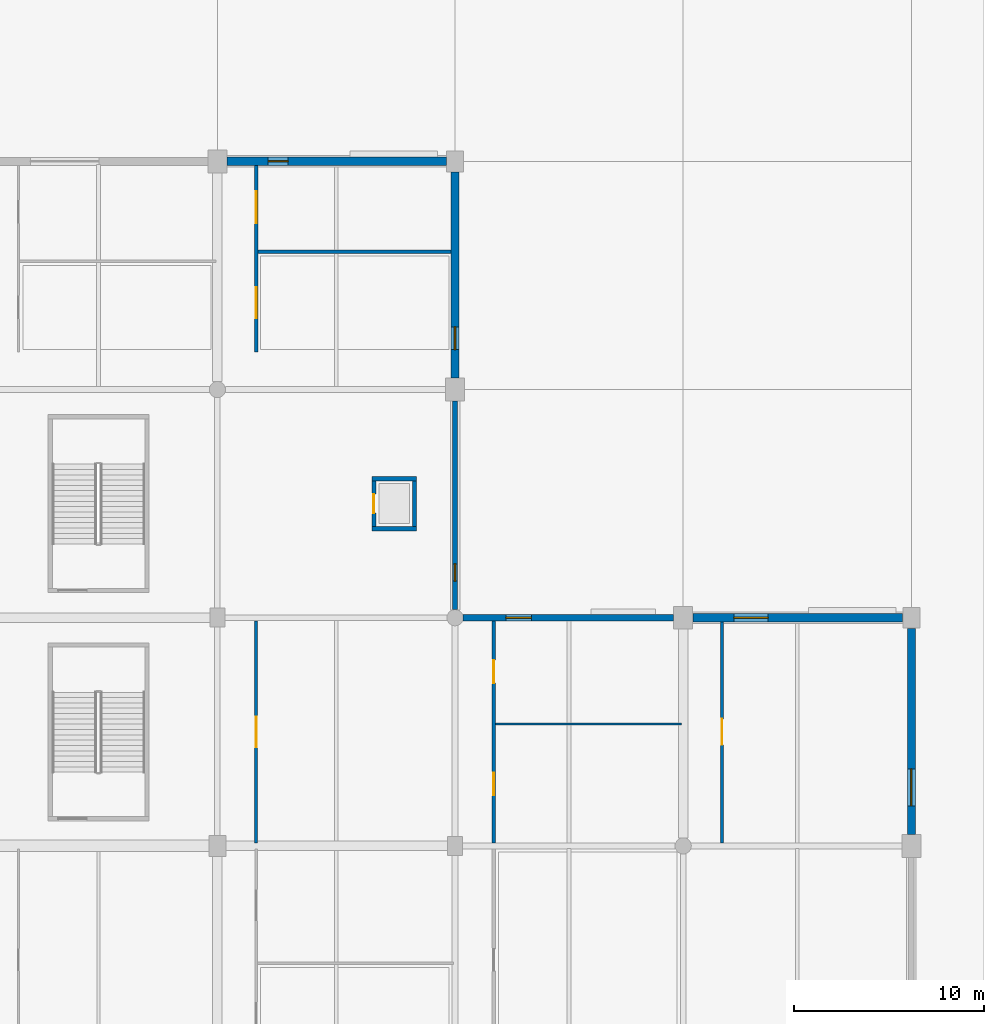
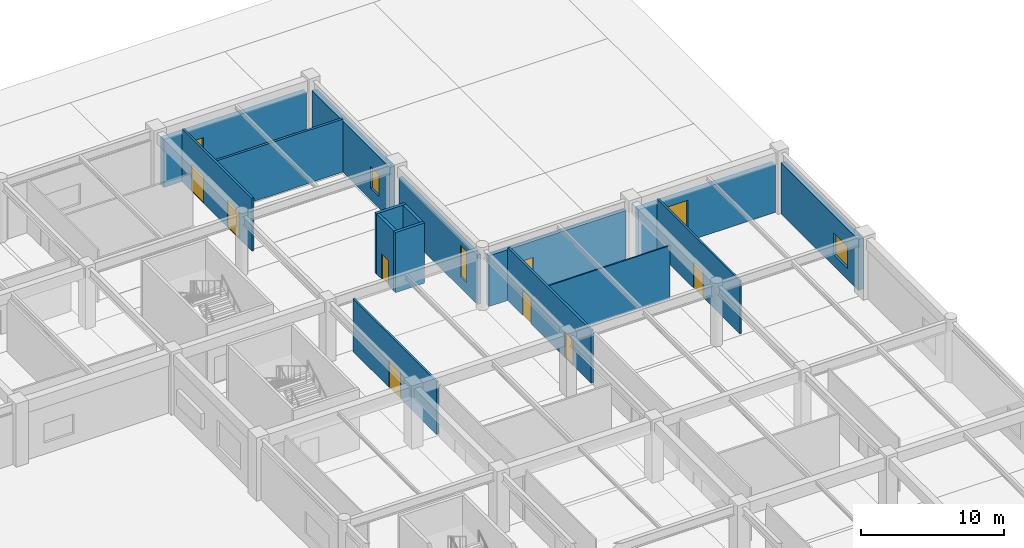
# One storey, part 34 of 69: 16 walls, 7 doors, 6 windows, 13 openings.
"""IFC4 building model written with IfcOpenShell, lengths in metres."""

import ifcopenshell
import ifcopenshell.guid

model = None  # the IFC model being written
_history = None  # IfcOwnerHistory: only IFC2X3 demands one
_inside = {}  # id of a spatial element -> (the spatial element, [elements in it])
_under = {}  # id of a project, library or spatial element -> (it, [spatial elements below it])
_declared = {}  # id of a project -> (the project, [libraries it declares])
_typed = {}  # id of a type object -> (the type object, [elements of that type])
_made_of = {}  # id of a material, layer set ... -> (it, [elements and type objects made of it])


def new_model(schema):
    """Start an empty IFC model of exactly this schema.

    Asked for "IFC4X3", IfcOpenShell would pick the latest addendum, in which some entities
    have other attributes; the version numbers below select the first issue.
    IFC2X3 requires an IfcOwnerHistory on every rooted entity: one is made here for all.
    """
    global model, _history
    if schema == "IFC4X3":
        model = ifcopenshell.file(schema_version=(4, 3, 0, 0))
    else:
        model = ifcopenshell.file(schema=schema)
    _inside.clear()
    _under.clear()
    _declared.clear()
    _typed.clear()
    _made_of.clear()
    _history = None
    if model.schema == "IFC2X3":
        org = make("IfcOrganization", Name="unknown")
        user = make(
            "IfcPersonAndOrganization",
            ThePerson=make("IfcPerson", FamilyName="unknown"),
            TheOrganization=org,
        )
        app = make(
            "IfcApplication",
            ApplicationDeveloper=org,
            Version="unknown",
            ApplicationFullName="unknown",
            ApplicationIdentifier="unknown",
        )
        _history = make(
            "IfcOwnerHistory",
            OwningUser=user,
            OwningApplication=app,
            ChangeAction="ADDED",
            CreationDate=0,
        )
    return model


def make(cls, **values):
    """One entity of the class cls with the attributes given. An attribute that is None is left unset."""
    return model.create_entity(
        cls, **{name: value for name, value in values.items() if value is not None}
    )


def rooted(cls, **values):
    """An entity with a GlobalId (a new one), such as an element, a storey or a relation."""
    return make(cls, GlobalId=ifcopenshell.guid.new(), OwnerHistory=_history, **values)


def si_unit(unit_type, name, prefix=None):
    """IfcSIUnit, for example si_unit("LENGTHUNIT", "METRE", prefix="MILLI")."""
    return make("IfcSIUnit", UnitType=unit_type, Prefix=prefix, Name=name)


def assignment(units):
    """IfcUnitAssignment: the units of a project."""
    return None if units is None else make("IfcUnitAssignment", Units=units)


def point(xyz):
    """IfcCartesianPoint."""
    return None if xyz is None else make("IfcCartesianPoint", Coordinates=xyz)


def direction(xyz):
    """IfcDirection."""
    return None if xyz is None else make("IfcDirection", DirectionRatios=xyz)


def frame(location, z_axis=None, x_axis=None):
    """IfcAxis2Placement3D, a coordinate frame: its origin and axes. An axis left out is left unset."""
    return make(
        "IfcAxis2Placement3D",
        Location=point(location),
        Axis=direction(z_axis),
        RefDirection=direction(x_axis),
    )


def frame_2d(location, x_axis=None):
    """IfcAxis2Placement2D, a coordinate frame in the plane: its origin and x axis."""
    return make(
        "IfcAxis2Placement2D", Location=point(location), RefDirection=direction(x_axis)
    )


def origin():
    """The frame at (0, 0, 0) with its axes left unset."""
    return frame((0.0, 0.0, 0.0))


def place(relative_to, where):
    """IfcLocalPlacement: puts the frame where relative to a parent placement (None: the world)."""
    return make(
        "IfcLocalPlacement", PlacementRelTo=relative_to, RelativePlacement=where
    )


def context(
    kind, dimensions, precision=None, world=None, true_north=None, identifier=None
):
    """IfcGeometricRepresentationContext, for example the 3D "Model" context."""
    return make(
        "IfcGeometricRepresentationContext",
        ContextIdentifier=identifier,
        ContextType=kind,
        CoordinateSpaceDimension=dimensions,
        Precision=precision,
        WorldCoordinateSystem=world,
        TrueNorth=true_north,
    )


def subcontext(parent, identifier, kind, view, scale=None):
    """IfcGeometricRepresentationSubContext, for example "Body" below "Model"."""
    return make(
        "IfcGeometricRepresentationSubContext",
        ContextIdentifier=identifier,
        ContextType=kind,
        ParentContext=parent,
        TargetScale=scale,
        TargetView=view,
    )


def project(units=None, contexts=None):
    """IfcProject with its units and contexts."""
    return rooted(
        "IfcProject",
        Name="project",
        RepresentationContexts=contexts,
        UnitsInContext=assignment(units),
    )


def spatial(cls, under=None, at=None, **own):
    """A site, building, storey or space (cls), placed at a placement, below another one or the project."""
    s = rooted(cls, ObjectPlacement=at, **own)
    if under is not None:
        _under.setdefault(under.id(), (under, []))[1].append(s)
    return s


def profile(cls, at=None, kind="AREA", **sizes):
    """A parametric profile (cls). Its sizes go by their IFC names, for example OverallWidth=200.0."""
    return make(cls, ProfileType=kind, Position=at, **sizes)


def rectangle(**sizes):
    """IfcRectangleProfileDef."""
    return profile("IfcRectangleProfileDef", **sizes)


def extrude(swept, where, along, depth):
    """IfcExtrudedAreaSolid: the profile swept, set in the frame where, extruded along a direction by depth."""
    return make(
        "IfcExtrudedAreaSolid",
        SweptArea=swept,
        Position=where,
        ExtrudedDirection=direction(along),
        Depth=depth,
    )


def shape(context_of_items, identifier, shape_type, items):
    """IfcShapeRepresentation: the items that make up one representation, for example the "Body"."""
    return make(
        "IfcShapeRepresentation",
        ContextOfItems=context_of_items,
        RepresentationIdentifier=identifier,
        RepresentationType=shape_type,
        Items=items,
    )


def material(Name=None, Category=None):
    """IfcMaterial."""
    return make("IfcMaterial", Name=Name, Category=Category)


def layer(
    of_material, thickness, ventilated=None, Name=None, Category=None, Priority=None
):
    """IfcMaterialLayer: one layer of a wall or slab, of a material (None: an air gap)."""
    return make(
        "IfcMaterialLayer",
        Material=of_material,
        LayerThickness=thickness,
        IsVentilated=ventilated,
        Name=Name,
        Category=Category,
        Priority=Priority,
    )


def layer_set(layers, Name=None):
    """IfcMaterialLayerSet."""
    return make("IfcMaterialLayerSet", MaterialLayers=layers, LayerSetName=Name)


def made_of(thing, what):
    """Note that an element or type object is made of a material, layer set ...; save() writes the relation."""
    if what is not None:
        _made_of.setdefault(what.id(), (what, []))[1].append(thing)
    return thing


def type_object(cls, material=None, **own):
    """A type object (cls), such as IfcWallType, which elements share."""
    return made_of(rooted(cls, **own), material)


def element(
    cls,
    number,
    at=None,
    inside=None,
    cuts=None,
    type_object=None,
    material=None,
    context=None,
    identifier="Body",
    shape_type=None,
    held_by="IfcProductDefinitionShape",
    body=None,
    shapes=None,
    **own,
):
    """One element of the class cls, such as IfcWall. Its Tag is "e" and its number.

    at: its placement. inside: the storey or other place that contains it. cuts: it is an
    opening in that element (IfcRelVoidsElement). A single representation is given by context,
    identifier, shape_type and body (its items); several are given by shapes. held_by: the class
    of the entity that holds the representations. save() writes the other relations.
    """
    e = rooted(cls, Tag="e%d" % number, ObjectPlacement=at, **own)
    if body is not None:
        shapes = [shape(context, identifier, shape_type, body)]
    if shapes is not None:
        e.Representation = make(held_by, Representations=shapes)
    if inside is not None:
        _inside.setdefault(inside.id(), (inside, []))[1].append(e)
    if cuts is not None:
        rooted(
            "IfcRelVoidsElement", RelatingBuildingElement=cuts, RelatedOpeningElement=e
        )
    if type_object is not None:
        _typed.setdefault(type_object.id(), (type_object, []))[1].append(e)
    return made_of(e, material)


def fill(opening, filler):
    """IfcRelFillsElement: the door or window that sits in an opening."""
    return rooted(
        "IfcRelFillsElement",
        RelatingOpeningElement=opening,
        RelatedBuildingElement=filler,
    )


def aggregate(whole, parts):
    """IfcRelAggregates: a whole, such as a stair, and the parts it consists of."""
    return rooted("IfcRelAggregates", RelatingObject=whole, RelatedObjects=parts)


def save(model, path):
    """Write the relations noted so far, then the file.

    IfcRelAggregates (storeys below a building ...), IfcRelContainedInSpatialStructure (elements
    in a storey), IfcRelDefinesByType, IfcRelAssociatesMaterial and IfcRelDeclares: one each for
    every whole, place, type object, material and project.
    """
    for whole, parts in _under.values():
        aggregate(whole, parts)
    for where, things in _inside.values():
        rooted(
            "IfcRelContainedInSpatialStructure",
            RelatedElements=things,
            RelatingStructure=where,
        )
    for kind, things in _typed.values():
        rooted("IfcRelDefinesByType", RelatedObjects=things, RelatingType=kind)
    for what, things in _made_of.values():
        rooted("IfcRelAssociatesMaterial", RelatedObjects=things, RelatingMaterial=what)
    for by, libraries in _declared.values():
        rooted("IfcRelDeclares", RelatingContext=by, RelatedDefinitions=libraries)
    model.write(path)


model = new_model("IFC4")

# Units and contexts
model_context = context("Model", 3, precision=1e-05, world=origin(), true_north=direction((0.0, 1.0)))
body_context = subcontext(model_context, "Body", "Model", "MODEL_VIEW")
ifc_project = project(units=[si_unit("LENGTHUNIT", "METRE"), si_unit("AREAUNIT", "SQUARE_METRE"), si_unit("VOLUMEUNIT", "CUBIC_METRE"), si_unit("PLANEANGLEUNIT", "RADIAN"), si_unit("MASSUNIT", "GRAM", prefix="KILO")], contexts=[model_context])

# Site, building, storey
site_placement = place(None, origin())
site = spatial("IfcSite", under=ifc_project, at=site_placement, CompositionType="ELEMENT")
building_placement = place(site_placement, origin())
building = spatial("IfcBuilding", under=site, at=building_placement, Name="Kazenohara Klinker Stadium", CompositionType="ELEMENT")
storey_placement = place(building_placement, origin())
storey = spatial("IfcBuildingStorey", under=building, at=storey_placement, Name="L00", CompositionType="ELEMENT", Elevation=0.0)

# Walls
ifc_material_1 = material(Name="Concrete C40/50", Category="concrete")
ifc_layer_1 = layer(ifc_material_1, 0.22998046875)
ifc_layer_set_1 = layer_set([ifc_layer_1], Name="Concrete C40/50")
wall_type_1 = type_object("IfcWallType", Name="WAL-CORE-230", PredefinedType="SHEAR", material=ifc_layer_set_1)
for number, where, z_axis, x_axis, name in (
    (1, (195.6201171875, 136.68505859375, 0.0), (0.0, 0.0, 1.0), (1.0, 0.0, 0.0), "Elevator shaft wall LP05 L00 South"),
    (2, (195.6201171875, 139.31494140625, 0.0), (0.0, 0.0, 1.0), (1.0, 0.0, 0.0), "Elevator shaft wall LP05 L00 North"),
):
    element("IfcWall", number, at=place(storey_placement, frame(where, z_axis=z_axis, x_axis=x_axis)), inside=storey, type_object=wall_type_1, Name=name, PredefinedType="SHEAR", context=body_context, shape_type="SweptSolid", body=[
        extrude(rectangle(XDim=2.35986328125, YDim=0.22998046875, at=frame_2d((1.179931640625, 0.0))), origin(), (0.0, 0.0, 1.0), 5.139892578125),
    ])

# Wall, opening, door
wall_1_placement = place(storey_placement, frame((195.735107421875, 136.800048828125, 0.0), z_axis=(0.0, 0.0, 1.0), x_axis=(0.0, 1.0, 0.0)))
wall_1 = element("IfcWall", 3, at=wall_1_placement, inside=storey, type_object=wall_type_1, Name="Elevator shaft wall LP05 L00 West", PredefinedType="SHEAR", context=body_context, shape_type="SweptSolid", body=[
    extrude(rectangle(XDim=2.39990234375, YDim=0.22998046875, at=frame_2d((1.199951171875, 0.0))), origin(), (0.0, 0.0, 1.0), 5.139892578125),
])
opening_1_placement = place(wall_1_placement, frame((0.699951171875, 0.0, 0.0)))
opening_1 = element("IfcOpeningElement", 4, at=opening_1_placement, cuts=wall_1, Name="Opening LD02", PredefinedType="OPENING", context=body_context, shape_type="SweptSolid", body=[
    extrude(rectangle(XDim=1.0, YDim=2.14990234375, at=frame_2d((0.5, 1.074951171875))), frame((0.0, 0.125, 0.0), z_axis=(0.0, -1.0, 0.0), x_axis=(1.0, 0.0, 0.0)), (0.0, 0.0, 1.0), 0.25),
])
ifc_material_2 = material(Name="Stainless steel sliding landing door", Category="steel")
door_type_1 = type_object("IfcDoorType", Name="DR-LD02-1000x2150", OperationType="NOTDEFINED", PredefinedType="DOOR", material=ifc_material_2)
door_1_placement = place(opening_1_placement, origin())
door_1 = element("IfcDoor", 5, at=door_1_placement, inside=storey, type_object=door_type_1, Name="Elevator sliding landing door LP05-L00", OperationType="DOUBLE_DOOR_SLIDING", OverallHeight=2.14990234375, OverallWidth=1.0, PredefinedType="DOOR", context=body_context, shape_type="SweptSolid", body=[
    extrude(rectangle(XDim=1.0, YDim=2.14990234375, at=frame_2d((0.5, 1.074951171875))), frame((0.0, 0.02490234375, 0.0), z_axis=(0.0, -1.0, 0.0), x_axis=(1.0, 0.0, 0.0)), (0.0, 0.0, 1.0), 0.050048828125),
])
fill(opening_1, door_1)

# Wall
wall_2_placement = place(storey_placement, frame((197.864990234375, 136.800048828125, 0.0), z_axis=(0.0, 0.0, 1.0), x_axis=(0.0, 1.0, 0.0)))
element("IfcWall", 6, at=wall_2_placement, inside=storey, type_object=wall_type_1, Name="Elevator shaft wall LP05 L00 East", PredefinedType="SHEAR", context=body_context, shape_type="SweptSolid", body=[
    extrude(rectangle(XDim=2.39990234375, YDim=0.22998046875, at=frame_2d((1.199951171875, 0.0))), origin(), (0.0, 0.0, 1.0), 5.139892578125),
])

# Wall, opening, window
ifc_material_3 = material(Name="Clinker brick masonry", Category="masonry")
ifc_layer_2 = layer(ifc_material_3, 0.280029296875)
ifc_layer_set_2 = layer_set([ifc_layer_2], Name="Clinker brick masonry")
wall_type_2 = type_object("IfcWallType", Name="WAL-EXT-CB280", PredefinedType="SOLIDWALL", material=ifc_layer_set_2)
wall_3_placement = place(storey_placement, frame((200.0, 132.428955078125, 0.0), z_axis=(0.0, 0.0, 1.0), x_axis=(0.0, 1.0, 0.0)))
wall_3 = element("IfcWall", 7, at=wall_3_placement, inside=storey, type_object=wall_type_2, Name="Clinker brick cavity wall EW06 L00 Y16-11", PredefinedType="SOLIDWALL", context=body_context, shape_type="SweptSolid", body=[
    extrude(rectangle(XDim=10.967041015625, YDim=0.280029296875, at=frame_2d((5.4833984375, 0.0))), origin(), (0.0, 0.0, 1.0), 4.239990234375),
])
opening_2_placement = place(wall_3_placement, frame((1.5, 0.0, 0.949951171875)))
opening_2 = element("IfcOpeningElement", 8, at=opening_2_placement, cuts=wall_3, Name="Opening W03", PredefinedType="OPENING", context=body_context, shape_type="SweptSolid", body=[
    extrude(rectangle(XDim=0.89990234375, YDim=2.699951171875, at=frame_2d((0.449951171875, 1.35009765625))), frame((0.0, 0.14990234375, 0.0), z_axis=(0.0, -1.0, 0.0), x_axis=(1.0, 0.0, 0.0)), (0.0, 0.0, 1.0), 0.300048828125),
])
ifc_material_4 = material(Name="Dark bronze aluminium frame and triple glazing", Category="aluminium")
window_type_1 = type_object("IfcWindowType", Name="WIN-AS-03", PartitioningType="SINGLE_PANEL", PredefinedType="WINDOW", material=ifc_material_4)
window_1_placement = place(opening_2_placement, origin())
window_1 = element("IfcWindow", 9, at=window_1_placement, inside=storey, type_object=window_type_1, Name="Horizontal-mullion ladder window W03 L00 Y16-11", OverallHeight=2.699951171875, OverallWidth=0.89990234375, PartitioningType="SINGLE_PANEL", PredefinedType="WINDOW", context=body_context, shape_type="SweptSolid", body=[
    extrude(rectangle(XDim=0.89990234375, YDim=2.699951171875, at=frame_2d((0.449951171875, 1.35009765625))), frame((0.0, 0.030029296875, 0.0), z_axis=(0.0, -1.0, 0.0), x_axis=(1.0, 0.0, 0.0)), (0.0, 0.0, 1.0), 0.06005859375),
])
fill(opening_2, window_1)

ifc_layer_3 = layer(ifc_material_3, 0.340087890625)
ifc_layer_set_3 = layer_set([ifc_layer_3], Name="Clinker brick masonry")
wall_type_3 = type_object("IfcWallType", Name="WAL-EXT-CB340", PredefinedType="SOLIDWALL", material=ifc_layer_set_3)
wall_4_placement = place(storey_placement, frame((200.428955078125, 132.0, 0.0), z_axis=(0.0, 0.0, 1.0), x_axis=(1.0, 0.0, 0.0)))
wall_4 = element("IfcWall", 10, at=wall_4_placement, inside=storey, type_object=wall_type_3, Name="Clinker brick cavity wall EW04 L00 X16-11", PredefinedType="SOLIDWALL", context=body_context, shape_type="SweptSolid", body=[
    extrude(rectangle(XDim=11.067138671875, YDim=0.340087890625, at=frame_2d((5.53369140625, 0.0))), origin(), (0.0, 0.0, 1.0), 4.340087890625),
])
opening_3_placement = place(wall_4_placement, frame((2.240966796875, 0.0, 0.949951171875)))
opening_3 = element("IfcOpeningElement", 11, at=opening_3_placement, cuts=wall_4, Name="Opening W07", PredefinedType="OPENING", context=body_context, shape_type="SweptSolid", body=[
    extrude(rectangle(XDim=1.35009765625, YDim=2.0, at=frame_2d((0.675048828125, 1.0))), frame((0.0, 0.18017578125, 0.0), z_axis=(0.0, -1.0, 0.0), x_axis=(1.0, 0.0, 0.0)), (0.0, 0.0, 1.0), 0.360107421875),
])
window_type_2 = type_object("IfcWindowType", Name="WIN-AS-07", PartitioningType="SINGLE_PANEL", PredefinedType="WINDOW", material=ifc_material_4)
window_2_placement = place(opening_3_placement, origin())
window_2 = element("IfcWindow", 12, at=window_2_placement, inside=storey, type_object=window_type_2, Name="Horizontal-mullion ladder window W07 L00 X16-11", OverallHeight=2.0, OverallWidth=1.35009765625, PartitioningType="SINGLE_PANEL", PredefinedType="WINDOW", context=body_context, shape_type="SweptSolid", body=[
    extrude(rectangle(XDim=1.35009765625, YDim=2.0, at=frame_2d((0.675048828125, 1.0))), frame((0.0, 0.030029296875, 0.0), z_axis=(0.0, -1.0, 0.0), x_axis=(1.0, 0.0, 0.0)), (0.0, 0.0, 1.0), 0.06005859375),
])
fill(opening_3, window_2)

ifc_layer_4 = layer(ifc_material_3, 0.409912109375)
ifc_layer_set_4 = layer_set([ifc_layer_4], Name="Clinker brick masonry")
wall_type_4 = type_object("IfcWallType", Name="WAL-EXT-CB410", PredefinedType="SOLIDWALL", material=ifc_layer_set_4)
wall_5_placement = place(storey_placement, frame((200.0, 144.60400390625, 0.0), z_axis=(0.0, 0.0, 1.0), x_axis=(0.0, 1.0, 0.0)))
wall_5 = element("IfcWall", 13, at=wall_5_placement, inside=storey, type_object=wall_type_4, Name="Clinker brick cavity wall EW02 L00 Y16-12", PredefinedType="SOLIDWALL", context=body_context, shape_type="SweptSolid", body=[
    extrude(rectangle(XDim=10.842041015625, YDim=0.409912109375, at=frame_2d((5.4208984375, 0.0))), origin(), (0.0, 0.0, 1.0), 4.340087890625),
])
opening_4_placement = place(wall_5_placement, frame((1.5, 0.0, 0.949951171875)))
opening_4 = element("IfcOpeningElement", 14, at=opening_4_placement, cuts=wall_5, Name="Opening W05", PredefinedType="OPENING", context=body_context, shape_type="SweptSolid", body=[
    extrude(rectangle(XDim=1.199951171875, YDim=1.89990234375, at=frame_2d((0.60009765625, 0.949951171875))), frame((0.0, 0.21484375, 0.0), z_axis=(0.0, -1.0, 0.0), x_axis=(1.0, 0.0, 0.0)), (0.0, 0.0, 1.0), 0.429931640625),
])
window_type_3 = type_object("IfcWindowType", Name="WIN-AS-05", PartitioningType="SINGLE_PANEL", PredefinedType="WINDOW", material=ifc_material_4)
window_3_placement = place(opening_4_placement, origin())
window_3 = element("IfcWindow", 15, at=window_3_placement, inside=storey, type_object=window_type_3, Name="Horizontal-mullion ladder window W05 L00 Y16-12", OverallHeight=1.89990234375, OverallWidth=1.199951171875, PartitioningType="SINGLE_PANEL", PredefinedType="WINDOW", context=body_context, shape_type="SweptSolid", body=[
    extrude(rectangle(XDim=1.199951171875, YDim=1.89990234375, at=frame_2d((0.60009765625, 0.949951171875))), frame((0.0, 0.030029296875, 0.0), z_axis=(0.0, -1.0, 0.0), x_axis=(1.0, 0.0, 0.0)), (0.0, 0.0, 1.0), 0.06005859375),
])
fill(opening_4, window_3)

wall_6_placement = place(storey_placement, frame((224.0, 120.60400390625, 0.0), z_axis=(0.0, 0.0, 1.0), x_axis=(0.0, 1.0, 0.0)))
wall_6 = element("IfcWall", 16, at=wall_6_placement, inside=storey, type_object=wall_type_4, Name="Clinker brick cavity wall EW02 L00 Y18-10", PredefinedType="SOLIDWALL", context=body_context, shape_type="SweptSolid", body=[
    extrude(rectangle(XDim=10.842041015625, YDim=0.409912109375, at=frame_2d((5.4208984375, 0.0))), origin(), (0.0, 0.0, 1.0), 4.340087890625),
])
opening_5_placement = place(wall_6_placement, frame((1.5, 0.0, 0.949951171875)))
opening_5 = element("IfcOpeningElement", 17, at=opening_5_placement, cuts=wall_6, Name="Opening W16", PredefinedType="OPENING", context=body_context, shape_type="SweptSolid", body=[
    extrude(rectangle(XDim=1.949951171875, YDim=1.89990234375, at=frame_2d((0.97509765625, 0.949951171875))), frame((0.0, 0.21484375, 0.0), z_axis=(0.0, -1.0, 0.0), x_axis=(1.0, 0.0, 0.0)), (0.0, 0.0, 1.0), 0.429931640625),
])
window_type_4 = type_object("IfcWindowType", Name="WIN-AS-16", PartitioningType="SINGLE_PANEL", PredefinedType="WINDOW", material=ifc_material_4)
window_4_placement = place(opening_5_placement, origin())
window_4 = element("IfcWindow", 18, at=window_4_placement, inside=storey, type_object=window_type_4, Name="Horizontal-mullion ladder window W16 L00 Y18-10", OverallHeight=1.89990234375, OverallWidth=1.949951171875, PartitioningType="SINGLE_PANEL", PredefinedType="WINDOW", context=body_context, shape_type="SweptSolid", body=[
    extrude(rectangle(XDim=1.949951171875, YDim=1.89990234375, at=frame_2d((0.97509765625, 0.949951171875))), frame((0.0, 0.030029296875, 0.0), z_axis=(0.0, -1.0, 0.0), x_axis=(1.0, 0.0, 0.0)), (0.0, 0.0, 1.0), 0.06005859375),
])
fill(opening_5, window_4)

ifc_layer_5 = layer(ifc_material_3, 0.449951171875)
ifc_layer_set_5 = layer_set([ifc_layer_5], Name="Clinker brick masonry")
wall_type_5 = type_object("IfcWallType", Name="WAL-EXT-CB450", PredefinedType="SOLIDWALL", material=ifc_layer_set_5)
wall_7_placement = place(storey_placement, frame((188.00390625, 156.0, 0.0), z_axis=(0.0, 0.0, 1.0), x_axis=(1.0, 0.0, 0.0)))
wall_7 = element("IfcWall", 19, at=wall_7_placement, inside=storey, type_object=wall_type_5, Name="Clinker brick cavity wall EW01 L00 X15-13", PredefinedType="SOLIDWALL", context=body_context, shape_type="SweptSolid", body=[
    extrude(rectangle(XDim=11.5419921875, YDim=0.449951171875, at=frame_2d((5.77099609375, 0.0))), origin(), (0.0, 0.0, 1.0), 4.090087890625),
])
opening_6_placement = place(wall_7_placement, frame((2.166015625, 0.0, 0.949951171875)))
opening_6 = element("IfcOpeningElement", 20, at=opening_6_placement, cuts=wall_7, Name="Opening W04", PredefinedType="OPENING", context=body_context, shape_type="SweptSolid", body=[
    extrude(rectangle(XDim=1.050048828125, YDim=2.199951171875, at=frame_2d((0.52490234375, 1.10009765625))), frame((0.0, 0.23486328125, 0.0), z_axis=(0.0, -1.0, 0.0), x_axis=(1.0, 0.0, 0.0)), (0.0, 0.0, 1.0), 0.469970703125),
])
window_type_5 = type_object("IfcWindowType", Name="WIN-AS-04", PartitioningType="SINGLE_PANEL", PredefinedType="WINDOW", material=ifc_material_4)
window_5_placement = place(opening_6_placement, origin())
window_5 = element("IfcWindow", 21, at=window_5_placement, inside=storey, type_object=window_type_5, Name="Horizontal-mullion ladder window W04 L00 X15-13", OverallHeight=2.199951171875, OverallWidth=1.050048828125, PartitioningType="SINGLE_PANEL", PredefinedType="WINDOW", context=body_context, shape_type="SweptSolid", body=[
    extrude(rectangle(XDim=1.050048828125, YDim=2.199951171875, at=frame_2d((0.52490234375, 1.10009765625))), frame((0.0, 0.030029296875, 0.0), z_axis=(0.0, -1.0, 0.0), x_axis=(1.0, 0.0, 0.0)), (0.0, 0.0, 1.0), 0.06005859375),
])
fill(opening_6, window_5)

wall_8_placement = place(storey_placement, frame((212.50390625, 132.0, 0.0), z_axis=(0.0, 0.0, 1.0), x_axis=(1.0, 0.0, 0.0)))
wall_8 = element("IfcWall", 22, at=wall_8_placement, inside=storey, type_object=wall_type_5, Name="Clinker brick cavity wall EW01 L00 X17-11", PredefinedType="SOLIDWALL", context=body_context, shape_type="SweptSolid", body=[
    extrude(rectangle(XDim=11.0419921875, YDim=0.449951171875, at=frame_2d((5.52099609375, 0.0))), origin(), (0.0, 0.0, 1.0), 4.090087890625),
])
opening_7_placement = place(wall_8_placement, frame((2.166015625, 0.0, 0.949951171875)))
opening_7 = element("IfcOpeningElement", 23, at=opening_7_placement, cuts=wall_8, Name="Opening W15", PredefinedType="OPENING", context=body_context, shape_type="SweptSolid", body=[
    extrude(rectangle(XDim=1.800048828125, YDim=2.550048828125, at=frame_2d((0.89990234375, 1.27490234375))), frame((0.0, 0.23486328125, 0.0), z_axis=(0.0, -1.0, 0.0), x_axis=(1.0, 0.0, 0.0)), (0.0, 0.0, 1.0), 0.469970703125),
])
window_type_6 = type_object("IfcWindowType", Name="WIN-AS-15", PartitioningType="SINGLE_PANEL", PredefinedType="WINDOW", material=ifc_material_4)
window_6_placement = place(opening_7_placement, origin())
window_6 = element("IfcWindow", 24, at=window_6_placement, inside=storey, type_object=window_type_6, Name="Horizontal-mullion ladder window W15 L00 X17-11", OverallHeight=2.550048828125, OverallWidth=1.800048828125, PartitioningType="SINGLE_PANEL", PredefinedType="WINDOW", context=body_context, shape_type="SweptSolid", body=[
    extrude(rectangle(XDim=1.800048828125, YDim=2.550048828125, at=frame_2d((0.89990234375, 1.27490234375))), frame((0.0, 0.030029296875, 0.0), z_axis=(0.0, -1.0, 0.0), x_axis=(1.0, 0.0, 0.0)), (0.0, 0.0, 1.0), 0.06005859375),
])
fill(opening_7, window_6)

# Wall
ifc_material_5 = material(Name="Fire-rated gypsum board on acoustic studs", Category="gypsum")
ifc_layer_6 = layer(ifc_material_5, 0.110107421875)
ifc_layer_set_6 = layer_set([ifc_layer_6], Name="Fire-rated gypsum board on acoustic studs")
wall_type_6 = type_object("IfcWallType", Name="WAL-INT-P110", PredefinedType="PARTITIONING", material=ifc_layer_set_6)
wall_9_placement = place(storey_placement, frame((202.139892578125, 126.40869140625, 0.0), z_axis=(0.0, 0.0, 1.0), x_axis=(1.0, 0.0, 0.0)))
element("IfcWall", 25, at=wall_9_placement, inside=storey, type_object=wall_type_6, Name="Interior partition wall PT01 SPC-L00-16-10-1-2", PredefinedType="PARTITIONING", context=body_context, shape_type="SweptSolid", body=[
    extrude(rectangle(XDim=9.780029296875, YDim=0.110107421875, at=frame_2d((4.89013671875, 0.0))), origin(), (0.0, 0.0, 1.0), 4.52001953125),
])

# Wall, opening, door
ifc_layer_7 = layer(ifc_material_5, 0.139892578125)
ifc_layer_set_7 = layer_set([ifc_layer_7], Name="Fire-rated gypsum board on acoustic studs")
wall_type_7 = type_object("IfcWallType", Name="WAL-INT-P140", PredefinedType="PARTITIONING", material=ifc_layer_set_7)
wall_10_placement = place(storey_placement, frame((214.0400390625, 120.159912109375, 0.0), z_axis=(0.0, 0.0, 1.0), x_axis=(0.0, 1.0, 0.0)))
wall_10 = element("IfcWall", 26, at=wall_10_placement, inside=storey, type_object=wall_type_7, Name="Interior partition wall PT03 SPC-L00-17-10-1-1", PredefinedType="PARTITIONING", context=body_context, shape_type="SweptSolid", body=[
    extrude(rectangle(XDim=11.613037109375, YDim=0.139892578125, at=frame_2d((5.806640625, 0.0))), origin(), (0.0, 0.0, 1.0), 4.52001953125),
])
opening_8_placement = place(wall_10_placement, frame((6.52001953125, 0.0, 0.0), z_axis=(0.0, 0.0, 1.0), x_axis=(-1.0, 0.0, 0.0)))
opening_8 = element("IfcOpeningElement", 27, at=opening_8_placement, cuts=wall_10, Name="Opening ID17", PredefinedType="OPENING", context=body_context, shape_type="SweptSolid", body=[
    extrude(rectangle(XDim=1.360107421875, YDim=2.25, at=frame_2d((0.68017578125, 1.125))), frame((0.0, 0.080078125, 0.0), z_axis=(0.0, -1.0, 0.0), x_axis=(1.0, 0.0, 0.0)), (0.0, 0.0, 1.0), 0.159912109375),
])
ifc_material_6 = material(Name="Solid-core Hokkaido oak fire door", Category="wood")
door_type_2 = type_object("IfcDoorType", Name="DR-INT-17", OperationType="NOTDEFINED", PredefinedType="DOOR", material=ifc_material_6)
door_2_placement = place(opening_8_placement, origin())
door_2 = element("IfcDoor", 28, at=door_2_placement, inside=storey, type_object=door_type_2, Name="Interior door ID17 Civic Stadium Heritage Museum Exhibition Gallery L00-1710A", OperationType="SINGLE_SWING_RIGHT", OverallHeight=2.25, OverallWidth=1.360107421875, PredefinedType="DOOR", context=body_context, shape_type="SweptSolid", body=[
    extrude(rectangle(XDim=1.360107421875, YDim=2.25, at=frame_2d((0.68017578125, 1.125))), frame((0.0, 0.02490234375, 0.0), z_axis=(0.0, -1.0, 0.0), x_axis=(1.0, 0.0, 0.0)), (0.0, 0.0, 1.0), 0.050048828125),
])
fill(opening_8, door_2)

ifc_layer_8 = layer(ifc_material_5, 0.14990234375)
ifc_layer_set_8 = layer_set([ifc_layer_8], Name="Fire-rated gypsum board on acoustic studs")
wall_type_8 = type_object("IfcWallType", Name="WAL-INT-P150", PredefinedType="PARTITIONING", material=ifc_layer_set_8)
wall_11_placement = place(storey_placement, frame((189.5400390625, 120.159912109375, 0.0), z_axis=(0.0, 0.0, 1.0), x_axis=(0.0, 1.0, 0.0)))
wall_11 = element("IfcWall", 29, at=wall_11_placement, inside=storey, type_object=wall_type_8, Name="Interior partition wall PT04 SPC-L00-15-10-1-1", PredefinedType="PARTITIONING", context=body_context, shape_type="SweptSolid", body=[
    extrude(rectangle(XDim=11.68017578125, YDim=0.14990234375, at=frame_2d((5.840087890625, 0.0))), origin(), (0.0, 0.0, 1.0), 4.52001953125),
])
opening_9_placement = place(wall_11_placement, frame((6.64013671875, 0.0, 0.0), z_axis=(0.0, 0.0, 1.0), x_axis=(-1.0, 0.0, 0.0)))
opening_9 = element("IfcOpeningElement", 30, at=opening_9_placement, cuts=wall_11, Name="Opening ID23", PredefinedType="OPENING", context=body_context, shape_type="SweptSolid", body=[
    extrude(rectangle(XDim=1.60009765625, YDim=2.300048828125, at=frame_2d((0.800048828125, 1.14990234375))), frame((0.0, 0.0849609375, 0.0), z_axis=(0.0, -1.0, 0.0), x_axis=(1.0, 0.0, 0.0)), (0.0, 0.0, 1.0), 0.169921875),
])
ifc_material_7 = material(Name="Painted steel plant fire door", Category="steel")
door_type_3 = type_object("IfcDoorType", Name="DR-INT-23", OperationType="NOTDEFINED", PredefinedType="DOOR", material=ifc_material_7)
door_3_placement = place(opening_9_placement, origin())
door_3 = element("IfcDoor", 31, at=door_3_placement, inside=storey, type_object=door_type_3, Name="Interior door ID23 Supporter Merchandising Retail Shop L00-1510A", OperationType="SINGLE_SWING_RIGHT", OverallHeight=2.300048828125, OverallWidth=1.60009765625, PredefinedType="DOOR", context=body_context, shape_type="SweptSolid", body=[
    extrude(rectangle(XDim=1.60009765625, YDim=2.300048828125, at=frame_2d((0.800048828125, 1.14990234375))), frame((0.0, 0.02490234375, 0.0), z_axis=(0.0, -1.0, 0.0), x_axis=(1.0, 0.0, 0.0)), (0.0, 0.0, 1.0), 0.050048828125),
])
fill(opening_9, door_3)

# Wall, openings, doors
ifc_layer_9 = layer(ifc_material_5, 0.169921875)
ifc_layer_set_9 = layer_set([ifc_layer_9], Name="Fire-rated gypsum board on acoustic studs")
wall_type_9 = type_object("IfcWallType", Name="WAL-INT-P170", PredefinedType="PARTITIONING", material=ifc_layer_set_9)
wall_12_placement = place(storey_placement, frame((189.5400390625, 145.969970703125, 0.0), z_axis=(0.0, 0.0, 1.0), x_axis=(0.0, 1.0, 0.0)))
wall_12 = element("IfcWall", 32, at=wall_12_placement, inside=storey, type_object=wall_type_9, Name="Interior partition wall PT05 SPC-L00-15-12-1-1", PredefinedType="PARTITIONING", context=body_context, shape_type="SweptSolid", body=[
    extrude(rectangle(XDim=9.802978515625, YDim=0.169921875, at=frame_2d((4.9013671875, 0.0))), origin(), (0.0, 0.0, 1.0), 4.52001953125),
])
opening_10_placement = place(wall_12_placement, frame((3.425048828125, 0.0, 0.0), z_axis=(0.0, 0.0, 1.0), x_axis=(-1.0, 0.0, 0.0)))
opening_10 = element("IfcOpeningElement", 33, at=opening_10_placement, cuts=wall_12, Name="Opening ID24", PredefinedType="OPENING", context=body_context, shape_type="SweptSolid", body=[
    extrude(rectangle(XDim=1.64990234375, YDim=2.280029296875, at=frame_2d((0.824951171875, 1.14013671875))), frame((0.0, 0.094970703125, 0.0), z_axis=(0.0, -1.0, 0.0), x_axis=(1.0, 0.0, 0.0)), (0.0, 0.0, 1.0), 0.18994140625),
])
opening_11_placement = place(wall_12_placement, frame((8.465087890625, 0.0, 0.0), z_axis=(0.0, 0.0, 1.0), x_axis=(-1.0, 0.0, 0.0)))
opening_11 = element("IfcOpeningElement", 34, at=opening_11_placement, cuts=wall_12, Name="Opening ID25", PredefinedType="OPENING", context=body_context, shape_type="SweptSolid", body=[
    extrude(rectangle(XDim=1.699951171875, YDim=2.320068359375, at=frame_2d((0.85009765625, 1.16015625))), frame((0.0, 0.094970703125, 0.0), z_axis=(0.0, -1.0, 0.0), x_axis=(1.0, 0.0, 0.0)), (0.0, 0.0, 1.0), 0.18994140625),
])
door_type_4 = type_object("IfcDoorType", Name="DR-INT-24", OperationType="NOTDEFINED", PredefinedType="DOOR", material=ifc_material_7)
door_4_placement = place(opening_10_placement, origin())
door_4 = element("IfcDoor", 35, at=door_4_placement, inside=storey, type_object=door_type_4, Name="Interior door ID24 Spectator First-Aid Medical Clinic L00-1512A", OperationType="SINGLE_SWING_LEFT", OverallHeight=2.280029296875, OverallWidth=1.64990234375, PredefinedType="DOOR", context=body_context, shape_type="SweptSolid", body=[
    extrude(rectangle(XDim=1.64990234375, YDim=2.280029296875, at=frame_2d((0.824951171875, 1.14013671875))), frame((0.0, 0.02490234375, 0.0), z_axis=(0.0, -1.0, 0.0), x_axis=(1.0, 0.0, 0.0)), (0.0, 0.0, 1.0), 0.050048828125),
])
fill(opening_10, door_4)
door_type_5 = type_object("IfcDoorType", Name="DR-INT-25", OperationType="NOTDEFINED", PredefinedType="DOOR", material=ifc_material_7)
door_5_placement = place(opening_11_placement, origin())
door_5 = element("IfcDoor", 36, at=door_5_placement, inside=storey, type_object=door_type_5, Name="Interior door ID25 Winter-Garden Retail Galleria Boutique L00-1512B", OperationType="SINGLE_SWING_RIGHT", OverallHeight=2.320068359375, OverallWidth=1.699951171875, PredefinedType="DOOR", context=body_context, shape_type="SweptSolid", body=[
    extrude(rectangle(XDim=1.699951171875, YDim=2.320068359375, at=frame_2d((0.85009765625, 1.16015625))), frame((0.0, 0.02490234375, 0.0), z_axis=(0.0, -1.0, 0.0), x_axis=(1.0, 0.0, 0.0)), (0.0, 0.0, 1.0), 0.050048828125),
])
fill(opening_11, door_5)

# Wall
ifc_layer_10 = layer(ifc_material_5, 0.18994140625)
ifc_layer_set_10 = layer_set([ifc_layer_10], Name="Fire-rated gypsum board on acoustic studs")
wall_type_10 = type_object("IfcWallType", Name="WAL-INT-P190", PredefinedType="PARTITIONING", material=ifc_layer_set_10)
wall_13_placement = place(storey_placement, frame((189.6298828125, 151.25048828125, 0.0), z_axis=(0.0, 0.0, 1.0), x_axis=(1.0, 0.0, 0.0)))
element("IfcWall", 37, at=wall_13_placement, inside=storey, type_object=wall_type_10, Name="Interior partition wall PT06 SPC-L00-15-12-1-2", PredefinedType="PARTITIONING", context=body_context, shape_type="SweptSolid", body=[
    extrude(rectangle(XDim=10.1630859375, YDim=0.18994140625, at=frame_2d((5.08154296875, 0.0))), origin(), (0.0, 0.0, 1.0), 4.52001953125),
])

# Wall, openings, doors
wall_14_placement = place(storey_placement, frame((202.0400390625, 120.159912109375, 0.0), z_axis=(0.0, 0.0, 1.0), x_axis=(0.0, 1.0, 0.0)))
wall_14 = element("IfcWall", 38, at=wall_14_placement, inside=storey, type_object=wall_type_10, Name="Interior partition wall PT06 SPC-L00-16-10-1-1", PredefinedType="PARTITIONING", context=body_context, shape_type="SweptSolid", body=[
    extrude(rectangle(XDim=11.66796875, YDim=0.18994140625, at=frame_2d((5.833984375, 0.0))), origin(), (0.0, 0.0, 1.0), 4.52001953125),
])
opening_12_placement = place(wall_14_placement, frame((3.67431640625, 0.0, 0.0), z_axis=(0.0, 0.0, 1.0), x_axis=(-1.0, 0.0, 0.0)))
opening_12 = element("IfcOpeningElement", 39, at=opening_12_placement, cuts=wall_14, Name="Opening ID11", PredefinedType="OPENING", context=body_context, shape_type="SweptSolid", body=[
    extrude(rectangle(XDim=1.179931640625, YDim=2.199951171875, at=frame_2d((0.58984375, 1.10009765625))), frame((0.0, 0.10498046875, 0.0), z_axis=(0.0, -1.0, 0.0), x_axis=(1.0, 0.0, 0.0)), (0.0, 0.0, 1.0), 0.2099609375),
])
opening_13_placement = place(wall_14_placement, frame((9.609375, 0.0, 0.0), z_axis=(0.0, 0.0, 1.0), x_axis=(-1.0, 0.0, 0.0)))
opening_13 = element("IfcOpeningElement", 40, at=opening_13_placement, cuts=wall_14, Name="Opening ID12", PredefinedType="OPENING", context=body_context, shape_type="SweptSolid", body=[
    extrude(rectangle(XDim=1.2099609375, YDim=2.179931640625, at=frame_2d((0.60498046875, 1.08984375))), frame((0.0, 0.10498046875, 0.0), z_axis=(0.0, -1.0, 0.0), x_axis=(1.0, 0.0, 0.0)), (0.0, 0.0, 1.0), 0.2099609375),
])
door_type_6 = type_object("IfcDoorType", Name="DR-INT-11", OperationType="NOTDEFINED", PredefinedType="DOOR", material=ifc_material_6)
door_6_placement = place(opening_12_placement, origin())
door_6 = element("IfcDoor", 41, at=door_6_placement, inside=storey, type_object=door_type_6, Name="Interior door ID11 Supporter Merchandising Retail Shop L00-1610A", OperationType="SINGLE_SWING_RIGHT", OverallHeight=2.199951171875, OverallWidth=1.179931640625, PredefinedType="DOOR", context=body_context, shape_type="SweptSolid", body=[
    extrude(rectangle(XDim=1.179931640625, YDim=2.199951171875, at=frame_2d((0.58984375, 1.10009765625))), frame((0.0, 0.02490234375, 0.0), z_axis=(0.0, -1.0, 0.0), x_axis=(1.0, 0.0, 0.0)), (0.0, 0.0, 1.0), 0.050048828125),
])
fill(opening_12, door_6)
door_type_7 = type_object("IfcDoorType", Name="DR-INT-12", OperationType="NOTDEFINED", PredefinedType="DOOR", material=ifc_material_6)
door_7_placement = place(opening_13_placement, origin())
door_7 = element("IfcDoor", 42, at=door_7_placement, inside=storey, type_object=door_type_7, Name="Interior door ID12 Concourse Craft Beverage Tavern L00-1610B", OperationType="SINGLE_SWING_LEFT", OverallHeight=2.179931640625, OverallWidth=1.2099609375, PredefinedType="DOOR", context=body_context, shape_type="SweptSolid", body=[
    extrude(rectangle(XDim=1.2099609375, YDim=2.179931640625, at=frame_2d((0.60498046875, 1.08984375))), frame((0.0, 0.02490234375, 0.0), z_axis=(0.0, -1.0, 0.0), x_axis=(1.0, 0.0, 0.0)), (0.0, 0.0, 1.0), 0.050048828125),
])
fill(opening_13, door_7)

save(model, "model.ifc")
